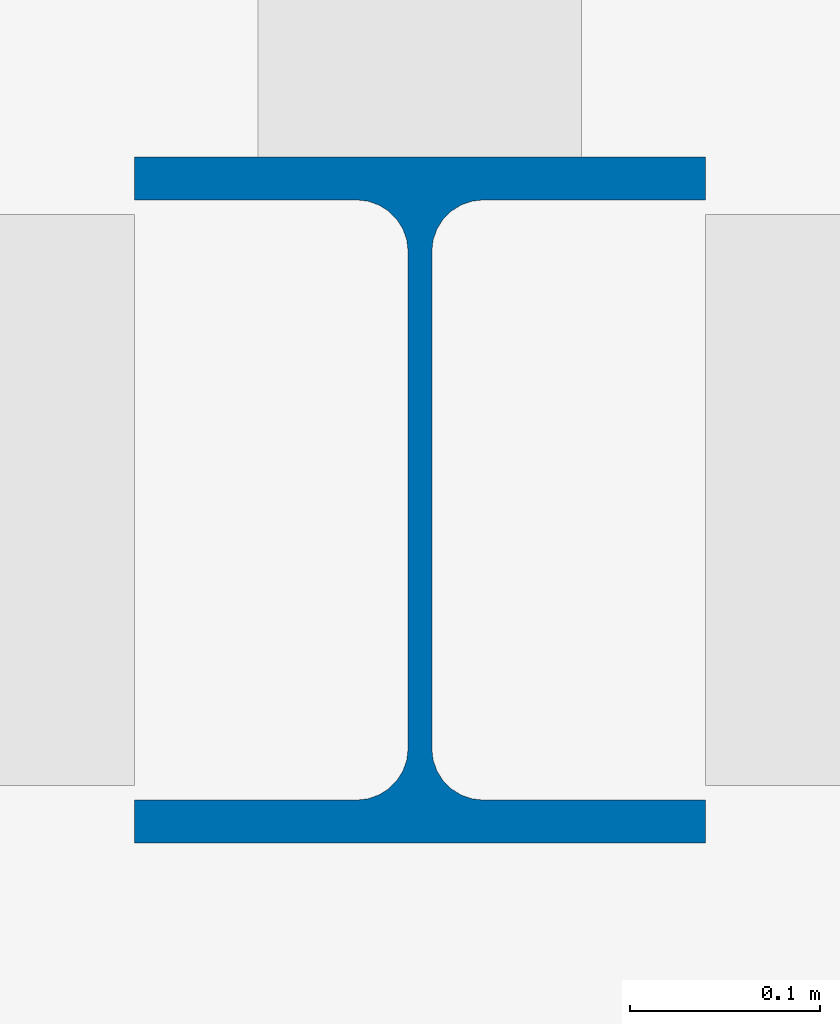
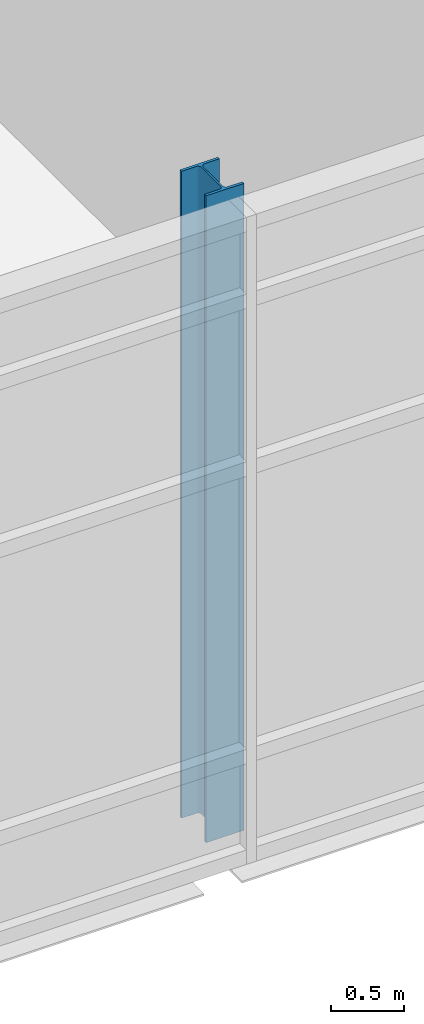
# One storey, part 5 of 52: 1 column.
"""IFC4 building model written with IfcOpenShell, lengths in metres."""

from ifc_helpers import new_model, si_unit, direction, frame, origin, origin_2d, place, context, subcontext, project, spatial, i_section, extrude, material, material_profile, profile_set, type_object, element, save


model = new_model("IFC4")

# Units and contexts
model_context = context("Model", 3, precision=1e-05, world=origin(), true_north=direction((0.0, 1.0)))
body_context = subcontext(model_context, "Body", "Model", "MODEL_VIEW")
ifc_project = project(units=[si_unit("LENGTHUNIT", "METRE"), si_unit("AREAUNIT", "SQUARE_METRE"), si_unit("VOLUMEUNIT", "CUBIC_METRE"), si_unit("PLANEANGLEUNIT", "RADIAN"), si_unit("MASSUNIT", "GRAM", prefix="KILO")], contexts=[model_context])

# Site, building, storey
site_placement = place(None, origin())
site = spatial("IfcSite", under=ifc_project, at=site_placement, CompositionType="ELEMENT")
building_placement = place(site_placement, origin())
building = spatial("IfcBuilding", under=site, at=building_placement, Name="Azimuth Sports and Learning Centre", CompositionType="ELEMENT")
storey_placement = place(building_placement, frame((0.0, 0.0, 16.199951171875)))
storey = spatial("IfcBuildingStorey", under=building, at=storey_placement, Name="L03", CompositionType="ELEMENT", Elevation=16.199951171875)

# Column
ifc_material = material(Name="Steel S355", Category="steel")
ifc_material_profile = material_profile(ifc_material, i_section(OverallWidth=0.300048828125, OverallDepth=0.360107421875, WebThickness=0.012451171875, FlangeThickness=0.0224609375, FilletRadius=0.027099609375, at=origin_2d()), Name="HEB 360")
ifc_profile_set = profile_set([ifc_material_profile], Name="Steel S355")
column_type = type_object("IfcColumnType", Name="Column HEB 360", PredefinedType="COLUMN", material=ifc_profile_set)
column_placement = place(storey_placement, frame((126.0, 90.0, 0.0), z_axis=(0.0, 0.0, 1.0), x_axis=(1.0, 0.0, 0.0)))
element("IfcColumn", 1, at=column_placement, inside=storey, type_object=column_type, Name="Column 15L L03", PredefinedType="COLUMN", context=body_context, shape_type="SweptSolid", body=[
    extrude(i_section(OverallWidth=0.300048828125, OverallDepth=0.360107421875, WebThickness=0.012451171875, FlangeThickness=0.0224609375, FilletRadius=0.027099609375, at=origin_2d()), origin(), (0.0, 0.0, 1.0), 5.400146484375),
])

save(model, "model.ifc")
